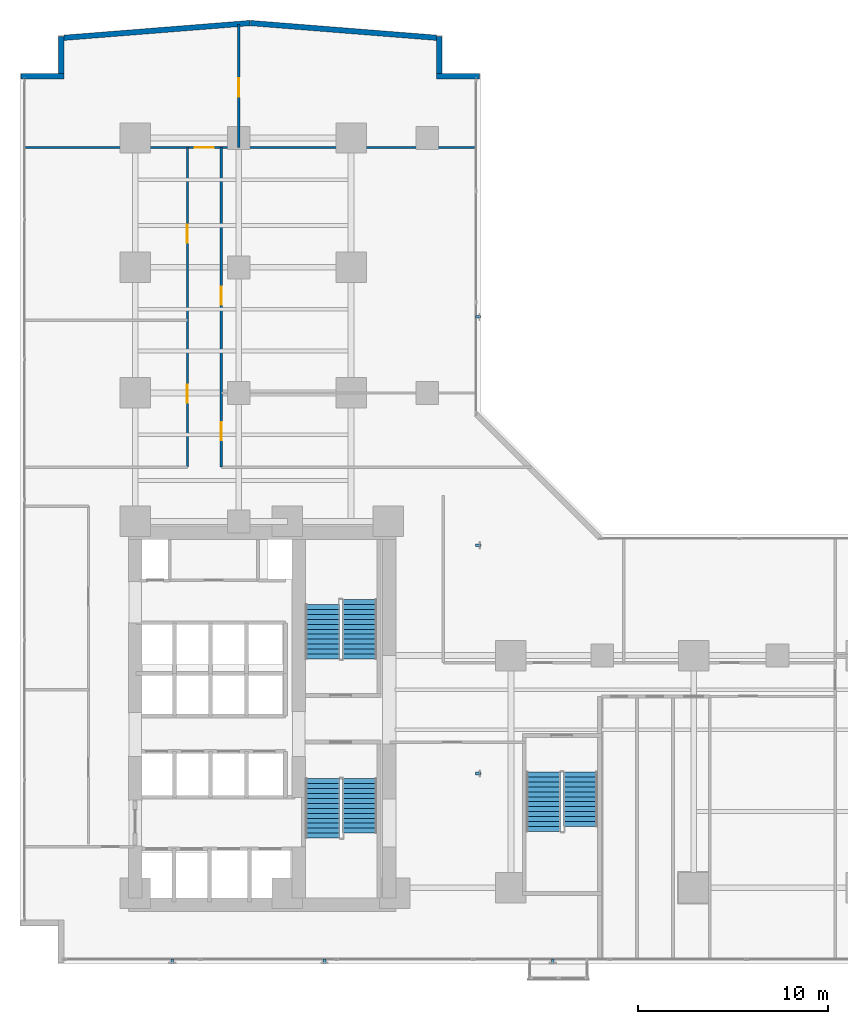
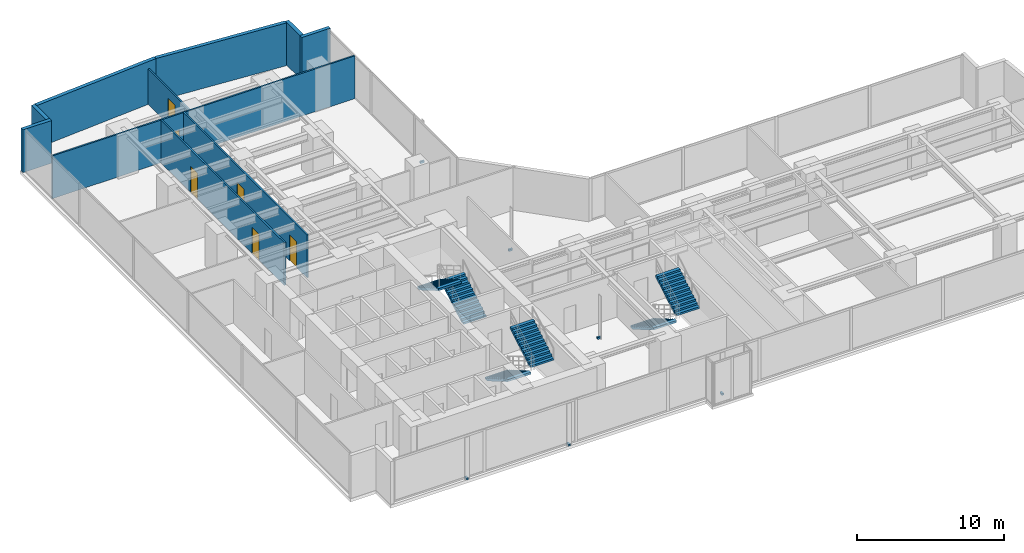
# One storey, part 24 of 27: 10 walls, 6 discrete accessories, 6 doors, 6 stair flights, 6 openings, 3 elements without a shape of their own.
"""IFC4 building model written with IfcOpenShell, lengths in metres."""

from ifc_helpers import new_model, si_unit, direction, frame, frame_2d, origin, origin_with_axes, origin_2d, place, context, subcontext, project, spatial, polyline, rectangle, outline, extrude, source, transform, mapped, material, layer, layer_set, type_object, element, fill, aggregate, save


model = new_model("IFC4")

# Units and contexts
model_context = context("Model", 3, precision=1e-05, world=origin(), true_north=direction((0.0, 1.0)))
body_context = subcontext(model_context, "Body", "Model", "MODEL_VIEW")
ifc_project = project(units=[si_unit("LENGTHUNIT", "METRE"), si_unit("AREAUNIT", "SQUARE_METRE"), si_unit("VOLUMEUNIT", "CUBIC_METRE"), si_unit("PLANEANGLEUNIT", "RADIAN"), si_unit("MASSUNIT", "GRAM", prefix="KILO")], contexts=[model_context])

# Site, building, storey
site_placement = place(None, origin())
site = spatial("IfcSite", under=ifc_project, at=site_placement, CompositionType="ELEMENT")
building_placement = place(site_placement, origin())
building = spatial("IfcBuilding", under=site, at=building_placement, Name="Kolvaren Waterfront Exchange", CompositionType="ELEMENT")
storey_placement = place(building_placement, frame((0.0, 0.0, 33.39990234375)))
storey = spatial("IfcBuildingStorey", under=building, at=storey_placement, Name="L08", CompositionType="ELEMENT", Elevation=33.39990234375)

# Walls
ifc_material_1 = material(Name="Precast concrete C40/50", Category="concrete")
ifc_layer_1 = layer(ifc_material_1, 0.280029296875, Name="Precast concrete C40/50")
ifc_layer_set_1 = layer_set([ifc_layer_1], Name="Precast concrete C40/50")
wall_type_1 = type_object("IfcWallType", Name="ARC-EXT-TERR-280", PredefinedType="SOLIDWALL", material=ifc_layer_set_1)
wall_1_placement = place(storey_placement, frame((23.300048828125, 47.840087890625, 0.0), z_axis=(0.0, 0.0, 1.0), x_axis=(1.0, 0.0, 0.0)))
element("IfcWall", 1, at=wall_1_placement, inside=storey, type_object=wall_type_1, Name="L08 notched corner spandrel pier NNE-A", PredefinedType="SOLIDWALL", context=body_context, shape_type="SweptSolid", body=[
    extrude(rectangle(XDim=2.239990234375, YDim=0.280029296875, at=frame_2d((1.1201171875, 0.0))), origin(), (0.0, 0.0, 1.0), 3.5400390625),
])
wall_2_placement = place(storey_placement, frame((23.43994140625, 47.97998046875, 0.0), z_axis=(0.0, 0.0, 1.0), x_axis=(0.0, 1.0, 0.0)))
element("IfcWall", 2, at=wall_2_placement, inside=storey, type_object=wall_type_1, Name="L08 notched corner spandrel pier NNE-B", PredefinedType="SOLIDWALL", context=body_context, shape_type="SweptSolid", body=[
    extrude(rectangle(XDim=1.9599609375, YDim=0.280029296875, at=frame_2d((0.97998046875, 0.0))), origin(), (0.0, 0.0, 1.0), 3.5400390625),
])
wall_3_placement = place(storey_placement, frame((1.4599609375, 47.840087890625, 0.0), z_axis=(0.0, 0.0, 1.0), x_axis=(1.0, 0.0, 0.0)))
element("IfcWall", 3, at=wall_3_placement, inside=storey, type_object=wall_type_1, Name="L08 notched corner spandrel pier NW-A", PredefinedType="SOLIDWALL", context=body_context, shape_type="SweptSolid", body=[
    extrude(rectangle(XDim=2.239990234375, YDim=0.280029296875, at=frame_2d((1.1201171875, 0.0))), origin(), (0.0, 0.0, 1.0), 3.5400390625),
])
wall_4_placement = place(storey_placement, frame((3.56005859375, 47.97998046875, 0.0), z_axis=(0.0, 0.0, 1.0), x_axis=(0.0, 1.0, 0.0)))
element("IfcWall", 4, at=wall_4_placement, inside=storey, type_object=wall_type_1, Name="L08 notched corner spandrel pier NW-B", PredefinedType="SOLIDWALL", context=body_context, shape_type="SweptSolid", body=[
    extrude(rectangle(XDim=1.9599609375, YDim=0.280029296875, at=frame_2d((0.97998046875, 0.0))), origin(), (0.0, 0.0, 1.0), 3.5400390625),
])
for number, where, z_axis, x_axis, name in (
    (5, (23.288330078125, 49.8642578125, 0.0), (0.0, 0.0, 1.0), (-0.996878337682, 0.078953023125, 0.0), "L08 north prow faceted facade wall 1"),
    (6, (13.49267578125, 50.638916015625, 0.0), (0.0, 0.0, 1.0), (-0.996878337682, -0.078953023125, 0.0), "L08 north prow faceted facade wall 2"),
):
    element("IfcWall", number, at=place(storey_placement, frame(where, z_axis=z_axis, x_axis=x_axis)), inside=storey, type_object=wall_type_1, Name=name, PredefinedType="SOLIDWALL", context=body_context, shape_type="SweptSolid", body=[
        extrude(rectangle(XDim=9.8115234375, YDim=0.280029296875, at=frame_2d((4.90576171875, 0.0))), origin(), (0.0, 0.0, 1.0), 3.5400390625),
    ])

# Wall, openings, doors
ifc_material_2 = material(Name="Acoustic gypsum steel stud", Category="steel")
ifc_layer_2 = layer(ifc_material_2, 0.125, Name="Acoustic gypsum steel stud")
ifc_layer_set_2 = layer_set([ifc_layer_2], Name="Acoustic gypsum steel stud")
wall_type_2 = type_object("IfcWallType", Name="ARC-PART-125", PredefinedType="PARTITIONING", material=ifc_layer_set_2)
wall_5_placement = place(storey_placement, frame((10.199951171875, 27.300048828125, 0.0), z_axis=(0.0, 0.0, 1.0), x_axis=(0.0, 1.0, 0.0)))
wall_5 = element("IfcWall", 7, at=wall_5_placement, inside=storey, type_object=wall_type_2, Name="L08 interior wall PW-L08-NW-CORR", PredefinedType="PARTITIONING", context=body_context, shape_type="SweptSolid", body=[
    extrude(rectangle(XDim=16.800048828125, YDim=0.125, at=frame_2d((8.39990234375, 0.0))), origin(), (0.0, 0.0, 1.0), 3.5400390625),
])
opening_1_placement = place(wall_5_placement, frame((3.389892578125, 0.0, 0.0)))
opening_1 = element("IfcOpeningElement", 8, at=opening_1_placement, cuts=wall_5, Name="Opening D02", PredefinedType="OPENING", context=body_context, shape_type="SweptSolid", body=[
    extrude(rectangle(XDim=0.949951171875, YDim=2.14990234375, at=frame_2d((0.47509765625, 1.074951171875))), frame((0.0, 0.072509765625, 0.0), z_axis=(0.0, -1.0, 0.0), x_axis=(1.0, 0.0, 0.0)), (0.0, 0.0, 1.0), 0.14501953125),
])
opening_2_placement = place(wall_5_placement, frame((11.7900390625, 0.0, 0.0)))
opening_2 = element("IfcOpeningElement", 9, at=opening_2_placement, cuts=wall_5, Name="Opening D02", PredefinedType="OPENING", context=body_context, shape_type="SweptSolid", body=[
    extrude(rectangle(XDim=0.949951171875, YDim=2.14990234375, at=frame_2d((0.47509765625, 1.074951171875))), frame((0.0, 0.072509765625, 0.0), z_axis=(0.0, -1.0, 0.0), x_axis=(1.0, 0.0, 0.0)), (0.0, 0.0, 1.0), 0.14501953125),
])
ifc_material_3 = material(Name="Oak veneer acoustic timber", Category="wood")
door_type_1 = type_object("IfcDoorType", Name="ARC-DR-950", OperationType="NOTDEFINED", PredefinedType="DOOR", material=ifc_material_3)
door_1_placement = place(opening_1_placement, origin())
door_1 = element("IfcDoor", 10, at=door_1_placement, inside=storey, type_object=door_type_1, Name="L08 door DR-L08-NW-D-1 (D02)", OperationType="SINGLE_SWING_RIGHT", OverallHeight=2.14990234375, OverallWidth=0.949951171875, PredefinedType="DOOR", context=body_context, shape_type="SweptSolid", body=[
    extrude(rectangle(XDim=0.949951171875, YDim=2.14990234375, at=frame_2d((0.47509765625, 1.074951171875))), frame((0.0, 0.02490234375, 0.0), z_axis=(0.0, -1.0, 0.0), x_axis=(1.0, 0.0, 0.0)), (0.0, 0.0, 1.0), 0.050048828125),
])
fill(opening_1, door_1)
door_2_placement = place(opening_2_placement, origin())
door_2 = element("IfcDoor", 11, at=door_2_placement, inside=storey, type_object=door_type_1, Name="L08 door DR-L08-NW-D-2 (D02)", OperationType="SINGLE_SWING_LEFT", OverallHeight=2.14990234375, OverallWidth=0.949951171875, PredefinedType="DOOR", context=body_context, shape_type="SweptSolid", body=[
    extrude(rectangle(XDim=0.949951171875, YDim=2.14990234375, at=frame_2d((0.47509765625, 1.074951171875))), frame((0.0, 0.02490234375, 0.0), z_axis=(0.0, -1.0, 0.0), x_axis=(1.0, 0.0, 0.0)), (0.0, 0.0, 1.0), 0.050048828125),
])
fill(opening_2, door_2)

# Wall, opening, door
wall_6_placement = place(storey_placement, frame((1.639892578125, 44.10009765625, 0.0), z_axis=(0.0, 0.0, 1.0), x_axis=(1.0, 0.0, 0.0)))
wall_6 = element("IfcWall", 12, at=wall_6_placement, inside=storey, type_object=wall_type_2, Name="L08 interior wall PW-L08-NTIP-S", PredefinedType="PARTITIONING", context=body_context, shape_type="SweptSolid", body=[
    extrude(rectangle(XDim=23.72021484375, YDim=0.125, at=frame_2d((11.860107421875, 0.0))), origin(), (0.0, 0.0, 1.0), 3.5400390625),
])
opening_3_placement = place(wall_6_placement, frame((8.949951171875, 0.0, 0.0)))
opening_3 = element("IfcOpeningElement", 13, at=opening_3_placement, cuts=wall_6, Name="Opening D03", PredefinedType="OPENING", context=body_context, shape_type="SweptSolid", body=[
    extrude(rectangle(XDim=1.0, YDim=2.199951171875, at=frame_2d((0.5, 1.10009765625))), frame((0.0, 0.072509765625, 0.0), z_axis=(0.0, -1.0, 0.0), x_axis=(1.0, 0.0, 0.0)), (0.0, 0.0, 1.0), 0.14501953125),
])
ifc_material_4 = material(Name="Oak veneer accessible timber", Category="wood")
door_type_2 = type_object("IfcDoorType", Name="ARC-DR-1000", OperationType="NOTDEFINED", PredefinedType="DOOR", material=ifc_material_4)
door_3_placement = place(opening_3_placement, origin())
door_3 = element("IfcDoor", 14, at=door_3_placement, inside=storey, type_object=door_type_2, Name="L08 door DR-L08-NTIPW-D (D03)", OperationType="SINGLE_SWING_RIGHT", OverallHeight=2.199951171875, OverallWidth=1.0, PredefinedType="DOOR", context=body_context, shape_type="SweptSolid", body=[
    extrude(rectangle(XDim=1.0, YDim=2.199951171875, at=frame_2d((0.5, 1.10009765625))), frame((0.0, 0.02490234375, 0.0), z_axis=(0.0, -1.0, 0.0), x_axis=(1.0, 0.0, 0.0)), (0.0, 0.0, 1.0), 0.050048828125),
])
fill(opening_3, door_3)

wall_7_placement = place(storey_placement, frame((12.89990234375, 44.10009765625, 0.0), z_axis=(0.0, 0.0, 1.0), x_axis=(0.0, 1.0, 0.0)))
wall_7 = element("IfcWall", 15, at=wall_7_placement, inside=storey, type_object=wall_type_2, Name="L08 interior wall PW-L08-NTIP-DIV", PredefinedType="PARTITIONING", context=body_context, shape_type="SweptSolid", body=[
    extrude(rectangle(XDim=6.4599609375, YDim=0.125, at=frame_2d((3.22998046875, 0.0))), origin(), (0.0, 0.0, 1.0), 2.940185546875),
])
opening_4_placement = place(wall_7_placement, frame((2.677490234375, 0.0, 0.0)))
opening_4 = element("IfcOpeningElement", 16, at=opening_4_placement, cuts=wall_7, Name="Opening D02", PredefinedType="OPENING", context=body_context, shape_type="SweptSolid", body=[
    extrude(rectangle(XDim=0.949951171875, YDim=2.14990234375, at=frame_2d((0.47509765625, 1.074951171875))), frame((0.0, 0.072509765625, 0.0), z_axis=(0.0, -1.0, 0.0), x_axis=(1.0, 0.0, 0.0)), (0.0, 0.0, 1.0), 0.14501953125),
])
door_4_placement = place(opening_4_placement, origin())
door_4 = element("IfcDoor", 17, at=door_4_placement, inside=storey, type_object=door_type_1, Name="L08 door DR-L08-NTIPE-D (D02)", OperationType="SINGLE_SWING_LEFT", OverallHeight=2.14990234375, OverallWidth=0.949951171875, PredefinedType="DOOR", context=body_context, shape_type="SweptSolid", body=[
    extrude(rectangle(XDim=0.949951171875, YDim=2.14990234375, at=frame_2d((0.47509765625, 1.074951171875))), frame((0.0, 0.02490234375, 0.0), z_axis=(0.0, -1.0, 0.0), x_axis=(1.0, 0.0, 0.0)), (0.0, 0.0, 1.0), 0.050048828125),
])
fill(opening_4, door_4)

# Wall, openings, doors
wall_8_placement = place(storey_placement, frame((11.97998046875, 27.300048828125, 0.0), z_axis=(0.0, 0.0, 1.0), x_axis=(0.0, 1.0, 0.0)))
wall_8 = element("IfcWall", 18, at=wall_8_placement, inside=storey, type_object=wall_type_2, Name="L08 interior wall PW-L08-NE-CORR", PredefinedType="PARTITIONING", context=body_context, shape_type="SweptSolid", body=[
    extrude(rectangle(XDim=16.800048828125, YDim=0.125, at=frame_2d((8.39990234375, 0.0))), origin(), (0.0, 0.0, 1.0), 3.5400390625),
])
opening_5_placement = place(wall_8_placement, frame((1.4033203125, 0.0, 0.0)))
opening_5 = element("IfcOpeningElement", 19, at=opening_5_placement, cuts=wall_8, Name="Opening D02", PredefinedType="OPENING", context=body_context, shape_type="SweptSolid", body=[
    extrude(rectangle(XDim=0.949951171875, YDim=2.14990234375, at=frame_2d((0.47509765625, 1.074951171875))), frame((0.0, 0.072509765625, 0.0), z_axis=(0.0, -1.0, 0.0), x_axis=(1.0, 0.0, 0.0)), (0.0, 0.0, 1.0), 0.14501953125),
])
opening_6_placement = place(wall_8_placement, frame((8.5341796875, 0.0, 0.0)))
opening_6 = element("IfcOpeningElement", 20, at=opening_6_placement, cuts=wall_8, Name="Opening D02", PredefinedType="OPENING", context=body_context, shape_type="SweptSolid", body=[
    extrude(rectangle(XDim=0.949951171875, YDim=2.14990234375, at=frame_2d((0.47509765625, 1.074951171875))), frame((0.0, 0.072509765625, 0.0), z_axis=(0.0, -1.0, 0.0), x_axis=(1.0, 0.0, 0.0)), (0.0, 0.0, 1.0), 0.14501953125),
])
door_5_placement = place(opening_5_placement, origin())
door_5 = element("IfcDoor", 21, at=door_5_placement, inside=storey, type_object=door_type_1, Name="L08 door DR-L08-NE-D-1 (D02)", OperationType="SINGLE_SWING_RIGHT", OverallHeight=2.14990234375, OverallWidth=0.949951171875, PredefinedType="DOOR", context=body_context, shape_type="SweptSolid", body=[
    extrude(rectangle(XDim=0.949951171875, YDim=2.14990234375, at=frame_2d((0.47509765625, 1.074951171875))), frame((0.0, 0.02490234375, 0.0), z_axis=(0.0, -1.0, 0.0), x_axis=(1.0, 0.0, 0.0)), (0.0, 0.0, 1.0), 0.050048828125),
])
fill(opening_5, door_5)
door_6_placement = place(opening_6_placement, origin())
door_6 = element("IfcDoor", 22, at=door_6_placement, inside=storey, type_object=door_type_1, Name="L08 door DR-L08-NE-D-2 (D02)", OperationType="SINGLE_SWING_LEFT", OverallHeight=2.14990234375, OverallWidth=0.949951171875, PredefinedType="DOOR", context=body_context, shape_type="SweptSolid", body=[
    extrude(rectangle(XDim=0.949951171875, YDim=2.14990234375, at=frame_2d((0.47509765625, 1.074951171875))), frame((0.0, 0.02490234375, 0.0), z_axis=(0.0, -1.0, 0.0), x_axis=(1.0, 0.0, 0.0)), (0.0, 0.0, 1.0), 0.050048828125),
])
fill(opening_6, door_6)

# Stair, stair flights
ifc_material_5 = material(Name="Concrete C40/50", Category="concrete")
stair_type = type_object("IfcStairType", Name="ARC-STAIR-3800", PredefinedType="HALF_TURN_STAIR", material=ifc_material_5)
stair_1_placement = place(storey_placement, origin())
stair_1 = element("IfcStair", 23, at=stair_1_placement, inside=storey, type_object=stair_type, Name="L08 Smoke-proof exit stair ST1", PredefinedType="HALF_TURN_STAIR")
stair_flight_type = type_object("IfcStairFlightType", Name="ARC-FLIGHT-3800", PredefinedType="STRAIGHT", material=ifc_material_5)
stair_flight_1_placement = place(storey_placement, frame((17.300048828125, 10.929931640625, 0.0), z_axis=(0.0, 0.0, 1.0), x_axis=(0.0, -1.0, 0.0)))
stair_flight_1 = element("IfcStairFlight", 24, at=stair_flight_1_placement, type_object=stair_flight_type, Name="ST1 flight 1", NumberOfRisers=13, NumberOfTreads=12, PredefinedType="STRAIGHT", RiserHeight=0.152, TreadLength=0.26, context=body_context, shape_type="SweptSolid", body=[
    extrude(outline(polyline([(0.0, 0.0), (0.0, 0.152099609375), (0.260009765625, 0.152099609375), (0.260009765625, 0.303955078125), (0.52001953125, 0.303955078125), (0.52001953125, 0.4560546875), (0.780029296875, 0.4560546875), (0.780029296875, 0.60791015625), (1.0400390625, 0.60791015625), (1.0400390625, 0.760009765625), (1.300048828125, 0.760009765625), (1.300048828125, 0.912109375), (1.56005859375, 0.912109375), (1.56005859375, 1.06396484375), (1.820068359375, 1.06396484375), (1.820068359375, 1.216064453125), (2.080078125, 1.216064453125), (2.080078125, 1.367919921875), (2.340087890625, 1.367919921875), (2.340087890625, 1.52001953125), (2.60009765625, 1.52001953125), (2.60009765625, 1.672119140625), (2.860107421875, 1.672119140625), (2.860107421875, 1.823974609375), (3.1201171875, 1.823974609375), (3.1201171875, 1.97607421875), (3.1201171875, 1.650390625), (0.297119140625, 0.0), (0.0, 0.0)])), frame((0.0, 0.89990234375, 0.0), z_axis=(0.0, -1.0, 0.0), x_axis=(1.0, 0.0, 0.0)), (0.0, 0.0, 1.0), 1.800048828125),
])
stair_flight_2_placement = place(storey_placement, frame((19.260009765625, 8.070068359375, 1.97607421875), z_axis=(0.0, 0.0, 1.0), x_axis=(0.0, 1.0, 0.0)))
stair_flight_2 = element("IfcStairFlight", 25, at=stair_flight_2_placement, type_object=stair_flight_type, Name="ST1 flight 2", NumberOfRisers=12, NumberOfTreads=11, PredefinedType="STRAIGHT", RiserHeight=0.152, TreadLength=0.26, context=body_context, shape_type="SweptSolid", body=[
    extrude(outline(polyline([(0.0, 0.0), (0.0, 0.152099609375), (0.260009765625, 0.152099609375), (0.260009765625, 0.303955078125), (0.52001953125, 0.303955078125), (0.52001953125, 0.4560546875), (0.780029296875, 0.4560546875), (0.780029296875, 0.60791015625), (1.0400390625, 0.60791015625), (1.0400390625, 0.760009765625), (1.300048828125, 0.760009765625), (1.300048828125, 0.912109375), (1.56005859375, 0.912109375), (1.56005859375, 1.06396484375), (1.820068359375, 1.06396484375), (1.820068359375, 1.216064453125), (2.080078125, 1.216064453125), (2.080078125, 1.367919921875), (2.340087890625, 1.367919921875), (2.340087890625, 1.52001953125), (2.60009765625, 1.52001953125), (2.60009765625, 1.672119140625), (2.860107421875, 1.672119140625), (2.860107421875, 1.823974609375), (2.860107421875, 1.498291015625), (0.297119140625, 0.0), (0.0, 0.0)])), frame((0.0, 0.89990234375, 0.0), z_axis=(0.0, -1.0, 0.0), x_axis=(1.0, 0.0, 0.0)), (0.0, 0.0, 1.0), 1.800048828125),
])
aggregate(stair_1, [stair_flight_1, stair_flight_2])

stair_2_placement = place(storey_placement, origin())
stair_2 = element("IfcStair", 26, at=stair_2_placement, inside=storey, type_object=stair_type, Name="L08 Smoke-proof exit stair ST2", PredefinedType="HALF_TURN_STAIR")
stair_flight_3_placement = place(storey_placement, frame((19.260009765625, 17.219970703125, 0.0), z_axis=(0.0, 0.0, 1.0), x_axis=(0.0, 1.0, 0.0)))
stair_flight_3 = element("IfcStairFlight", 27, at=stair_flight_3_placement, type_object=stair_flight_type, Name="ST2 flight 1", NumberOfRisers=13, NumberOfTreads=12, PredefinedType="STRAIGHT", RiserHeight=0.152, TreadLength=0.26, context=body_context, shape_type="SweptSolid", body=[
    extrude(outline(polyline([(0.0, 0.0), (0.0, 0.152099609375), (0.260009765625, 0.152099609375), (0.260009765625, 0.303955078125), (0.52001953125, 0.303955078125), (0.52001953125, 0.4560546875), (0.780029296875, 0.4560546875), (0.780029296875, 0.60791015625), (1.0400390625, 0.60791015625), (1.0400390625, 0.760009765625), (1.300048828125, 0.760009765625), (1.300048828125, 0.912109375), (1.56005859375, 0.912109375), (1.56005859375, 1.06396484375), (1.820068359375, 1.06396484375), (1.820068359375, 1.216064453125), (2.080078125, 1.216064453125), (2.080078125, 1.367919921875), (2.340087890625, 1.367919921875), (2.340087890625, 1.52001953125), (2.60009765625, 1.52001953125), (2.60009765625, 1.672119140625), (2.860107421875, 1.672119140625), (2.860107421875, 1.823974609375), (3.1201171875, 1.823974609375), (3.1201171875, 1.97607421875), (3.1201171875, 1.650390625), (0.297119140625, 0.0), (0.0, 0.0)])), frame((0.0, 0.89990234375, 0.0), z_axis=(0.0, -1.0, 0.0), x_axis=(1.0, 0.0, 0.0)), (0.0, 0.0, 1.0), 1.800048828125),
])
stair_flight_4_placement = place(storey_placement, frame((17.300048828125, 20.080078125, 1.97607421875), z_axis=(0.0, 0.0, 1.0), x_axis=(0.0, -1.0, 0.0)))
stair_flight_4 = element("IfcStairFlight", 28, at=stair_flight_4_placement, type_object=stair_flight_type, Name="ST2 flight 2", NumberOfRisers=12, NumberOfTreads=11, PredefinedType="STRAIGHT", RiserHeight=0.152, TreadLength=0.26, context=body_context, shape_type="SweptSolid", body=[
    extrude(outline(polyline([(0.0, 0.0), (0.0, 0.152099609375), (0.260009765625, 0.152099609375), (0.260009765625, 0.303955078125), (0.52001953125, 0.303955078125), (0.52001953125, 0.4560546875), (0.780029296875, 0.4560546875), (0.780029296875, 0.60791015625), (1.0400390625, 0.60791015625), (1.0400390625, 0.760009765625), (1.300048828125, 0.760009765625), (1.300048828125, 0.912109375), (1.56005859375, 0.912109375), (1.56005859375, 1.06396484375), (1.820068359375, 1.06396484375), (1.820068359375, 1.216064453125), (2.080078125, 1.216064453125), (2.080078125, 1.367919921875), (2.340087890625, 1.367919921875), (2.340087890625, 1.52001953125), (2.60009765625, 1.52001953125), (2.60009765625, 1.672119140625), (2.860107421875, 1.672119140625), (2.860107421875, 1.823974609375), (2.860107421875, 1.498291015625), (0.297119140625, 0.0), (0.0, 0.0)])), frame((0.0, 0.89990234375, 0.0), z_axis=(0.0, -1.0, 0.0), x_axis=(1.0, 0.0, 0.0)), (0.0, 0.0, 1.0), 1.800048828125),
])
aggregate(stair_2, [stair_flight_3, stair_flight_4])

stair_3_placement = place(storey_placement, origin())
stair_3 = element("IfcStair", 29, at=stair_3_placement, inside=storey, type_object=stair_type, Name="L08 Exit stair ST3", PredefinedType="HALF_TURN_STAIR")
stair_flight_5_placement = place(storey_placement, frame((28.89990234375, 11.280029296875, 0.0), z_axis=(0.0, 0.0, 1.0), x_axis=(0.0, -1.0, 0.0)))
stair_flight_5 = element("IfcStairFlight", 30, at=stair_flight_5_placement, type_object=stair_flight_type, Name="ST3 flight 1", NumberOfRisers=13, NumberOfTreads=12, PredefinedType="STRAIGHT", RiserHeight=0.152, TreadLength=0.26, context=body_context, shape_type="SweptSolid", body=[
    extrude(outline(polyline([(0.0, 0.0), (0.0, 0.152099609375), (0.260009765625, 0.152099609375), (0.260009765625, 0.303955078125), (0.52001953125, 0.303955078125), (0.52001953125, 0.4560546875), (0.780029296875, 0.4560546875), (0.780029296875, 0.60791015625), (1.0400390625, 0.60791015625), (1.0400390625, 0.760009765625), (1.300048828125, 0.760009765625), (1.300048828125, 0.912109375), (1.56005859375, 0.912109375), (1.56005859375, 1.06396484375), (1.820068359375, 1.06396484375), (1.820068359375, 1.216064453125), (2.080078125, 1.216064453125), (2.080078125, 1.367919921875), (2.340087890625, 1.367919921875), (2.340087890625, 1.52001953125), (2.60009765625, 1.52001953125), (2.60009765625, 1.672119140625), (2.860107421875, 1.672119140625), (2.860107421875, 1.823974609375), (3.1201171875, 1.823974609375), (3.1201171875, 1.97607421875), (3.1201171875, 1.650390625), (0.297119140625, 0.0), (0.0, 0.0)])), frame((0.0, 0.89990234375, 0.0), z_axis=(0.0, -1.0, 0.0), x_axis=(1.0, 0.0, 0.0)), (0.0, 0.0, 1.0), 1.800048828125),
])
stair_flight_6_placement = place(storey_placement, frame((30.860107421875, 8.419921875, 1.97607421875), z_axis=(0.0, 0.0, 1.0), x_axis=(0.0, 1.0, 0.0)))
stair_flight_6 = element("IfcStairFlight", 31, at=stair_flight_6_placement, type_object=stair_flight_type, Name="ST3 flight 2", NumberOfRisers=12, NumberOfTreads=11, PredefinedType="STRAIGHT", RiserHeight=0.152, TreadLength=0.26, context=body_context, shape_type="SweptSolid", body=[
    extrude(outline(polyline([(0.0, 0.0), (0.0, 0.152099609375), (0.260009765625, 0.152099609375), (0.260009765625, 0.303955078125), (0.52001953125, 0.303955078125), (0.52001953125, 0.4560546875), (0.780029296875, 0.4560546875), (0.780029296875, 0.60791015625), (1.0400390625, 0.60791015625), (1.0400390625, 0.760009765625), (1.300048828125, 0.760009765625), (1.300048828125, 0.912109375), (1.56005859375, 0.912109375), (1.56005859375, 1.06396484375), (1.820068359375, 1.06396484375), (1.820068359375, 1.216064453125), (2.080078125, 1.216064453125), (2.080078125, 1.367919921875), (2.340087890625, 1.367919921875), (2.340087890625, 1.52001953125), (2.60009765625, 1.52001953125), (2.60009765625, 1.672119140625), (2.860107421875, 1.672119140625), (2.860107421875, 1.823974609375), (2.860107421875, 1.498291015625), (0.297119140625, 0.0), (0.0, 0.0)])), frame((0.0, 0.89990234375, 0.0), z_axis=(0.0, -1.0, 0.0), x_axis=(1.0, 0.0, 0.0)), (0.0, 0.0, 1.0), 1.800048828125),
])
aggregate(stair_3, [stair_flight_5, stair_flight_6])

# Discrete accessories
ifc_material_6 = material(Name="Stainless steel 316", Category="steel")
discrete_accessory_type = type_object("IfcDiscreteAccessoryType", Name="ARC-BRK-FIN", PredefinedType="BRACKET", material=ifc_material_6)
shared_shape = source(origin_with_axes(), body_context, "Body", "SweptSolid", [
    extrude(rectangle(XDim=0.280029296875, YDim=0.139892578125, at=origin_2d()), origin(), (0.0, 0.0, 1.0), 0.159912109375),
])
for number, where, z_axis, x_axis, name in (
    (32, (9.39990234375, 1.320068359375, 0.0), (0.0, 0.0, 1.0), (0.0, -1.0, 0.0), "L08 bronze fin anchor bracket FIN-L08-S1"),
    (33, (17.39990234375, 1.320068359375, 0.0), (0.0, 0.0, 1.0), (0.0, -1.0, 0.0), "L08 bronze fin anchor bracket FIN-L08-S2"),
    (34, (29.39990234375, 1.320068359375, 0.0), (0.0, 0.0, 1.0), (0.0, -1.0, 0.0), "L08 bronze fin anchor bracket FIN-L08-S3"),
    (35, (25.47998046875, 11.199951171875, 0.0), (0.0, 0.0, 1.0), (1.0, 0.0, 0.0), "L08 bronze fin anchor bracket FIN-L08-E1"),
    (36, (25.47998046875, 23.199951171875, 0.0), (0.0, 0.0, 1.0), (1.0, 0.0, 0.0), "L08 bronze fin anchor bracket FIN-L08-E2"),
    (37, (25.47998046875, 35.199951171875, 0.0), (0.0, 0.0, 1.0), (1.0, 0.0, 0.0), "L08 bronze fin anchor bracket FIN-L08-E3"),
):
    element("IfcDiscreteAccessory", number, at=place(storey_placement, frame(where, z_axis=z_axis, x_axis=x_axis)), inside=storey, type_object=discrete_accessory_type, Name=name, PredefinedType="BRACKET", context=body_context, shape_type="MappedRepresentation", body=[
        mapped(shared_shape, transform((0.0, 0.0, 0.0), x_axis=(1.0, 0.0, 0.0), y_axis=(0.0, 1.0, 0.0), z_axis=(0.0, 0.0, 1.0), scale=1.0)),
    ])

save(model, "model.ifc")
